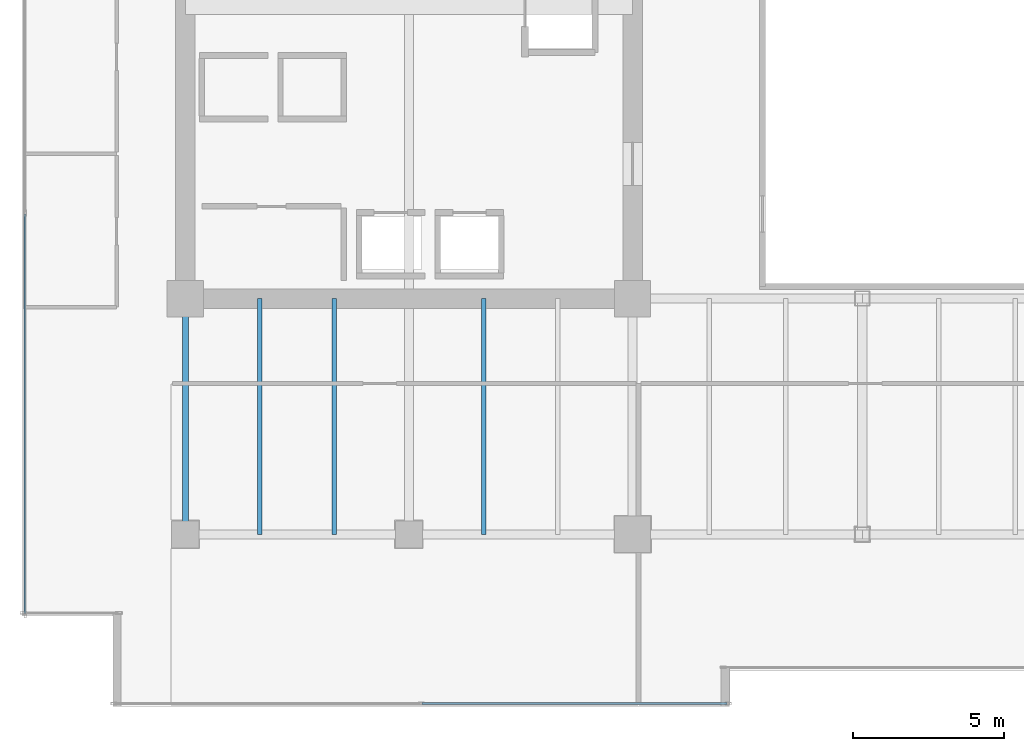
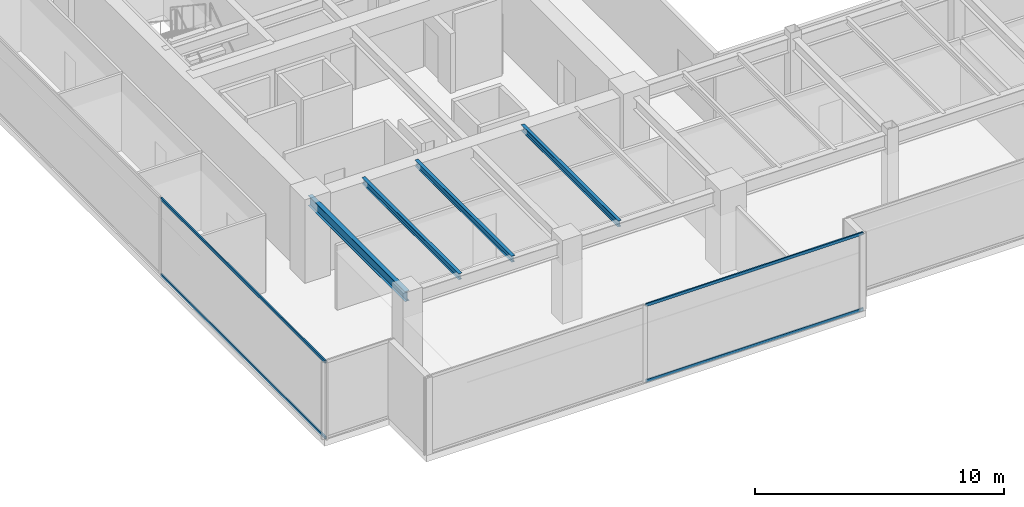
# One storey, part 3 of 34: 4 beams, 4 members, 2 elements without a shape of their own.
"""IFC4 building model written with IfcOpenShell, lengths in metres."""

from ifc_helpers import new_model, si_unit, direction, frame, origin, origin_2d, place, context, subcontext, project, spatial, hollow_rectangle, i_section, extrude, source, transform, mapped, material, layer, layer_set, material_profile, profile_set, type_object, type_shapes, element, aggregate, save


model = new_model("IFC4")

# Units and contexts
model_context = context("Model", 3, precision=1e-05, world=origin(), true_north=direction((0.0, 1.0)))
body_context = subcontext(model_context, "Body", "Model", "MODEL_VIEW")
ifc_project = project(units=[si_unit("LENGTHUNIT", "METRE"), si_unit("AREAUNIT", "SQUARE_METRE"), si_unit("VOLUMEUNIT", "CUBIC_METRE"), si_unit("PLANEANGLEUNIT", "RADIAN"), si_unit("MASSUNIT", "GRAM", prefix="KILO")], contexts=[model_context])

# Site, building, storey
site_placement = place(None, origin())
site = spatial("IfcSite", under=ifc_project, at=site_placement, CompositionType="ELEMENT")
building_placement = place(site_placement, origin())
building = spatial("IfcBuilding", under=site, at=building_placement, Name="Haelvirn Gate Laboratories", CompositionType="ELEMENT")
storey_placement = place(building_placement, frame((0.0, 0.0, 178.89990234375)))
storey = spatial("IfcBuildingStorey", under=building, at=storey_placement, Name="L43", CompositionType="ELEMENT", Elevation=178.89990234375)

# Beams
ifc_material_1 = material(Name="Steel SM355", Category="steel")
ifc_material_profile_1 = material_profile(ifc_material_1, i_section(OverallWidth=0.199951171875, OverallDepth=0.5, WebThickness=0.010009765625, FlangeThickness=0.01611328125, at=origin_2d()), Name="H-500x200x10x16")
ifc_profile_set_1 = profile_set([ifc_material_profile_1], Name="Steel SM355")
beam_type_1 = type_object("IfcBeamType", Name="BM-SP-500", PredefinedType="SPANDREL", material=ifc_profile_set_1)
shared_shape_1 = source(origin(), body_context, "Body", "SweptSolid", [
    extrude(i_section(OverallWidth=0.199951171875, OverallDepth=0.5, WebThickness=0.010009765625, FlangeThickness=0.01611328125, at=origin_2d()), origin(), (0.0, 0.0, 1.0), 7.800048828125),
])
type_shapes(beam_type_1, [shared_shape_1])
beam_placement = place(storey_placement, frame((7.39990234375, 7.0, 3.5400390625), z_axis=(0.0, 1.0, 0.0), x_axis=(-1.0, 0.0, 0.0)))
element("IfcBeam", 1, at=beam_placement, inside=storey, type_object=beam_type_1, Name="L43 Perimeter Spandrel X7.4 (7.0-14.8)", PredefinedType="SPANDREL", context=body_context, shape_type="MappedRepresentation", body=[
    mapped(shared_shape_1, transform((0.0, 0.0, 0.0), scale=1.0)),
])
ifc_material_profile_2 = material_profile(ifc_material_1, i_section(OverallWidth=0.14990234375, OverallDepth=0.300048828125, WebThickness=0.006591796875, FlangeThickness=0.009033203125, at=origin_2d()), Name="H-300x150x6.5x9")
ifc_profile_set_2 = profile_set([ifc_material_profile_2], Name="Steel SM355")
beam_type_2 = type_object("IfcBeamType", Name="BM-J-300", PredefinedType="JOIST", material=ifc_profile_set_2)
shared_shape_2 = source(origin(), body_context, "Body", "SweptSolid", [
    extrude(i_section(OverallWidth=0.14990234375, OverallDepth=0.300048828125, WebThickness=0.006591796875, FlangeThickness=0.009033203125, at=origin_2d()), origin(), (0.0, 0.0, 1.0), 7.800048828125),
])
type_shapes(beam_type_2, [shared_shape_2])
for number, where, z_axis, x_axis, name in (
    (2, (9.8701171875, 7.0, 3.64013671875), (0.0, 1.0, 0.0), (-1.0, 0.0, 0.0), "L43 Composite Lab Joist South X9.87"),
    (3, (12.330078125, 7.0, 3.64013671875), (0.0, 1.0, 0.0), (-1.0, 0.0, 0.0), "L43 Composite Lab Joist South X12.33"),
    (4, (17.27001953125, 7.0, 3.64013671875), (0.0, 1.0, 0.0), (-1.0, 0.0, 0.0), "L43 Composite Lab Joist South X17.27"),
):
    element("IfcBeam", number, at=place(storey_placement, frame(where, z_axis=z_axis, x_axis=x_axis)), inside=storey, type_object=beam_type_2, Name=name, PredefinedType="JOIST", context=body_context, shape_type="MappedRepresentation", body=[
        mapped(shared_shape_2, transform((0.0, 0.0, 0.0), scale=1.0)),
    ])

# Curtain wall, members
ifc_material_2 = material(Name="Anodised bronze unitised aluminium & triple low-E glass", Category="aluminium")
ifc_layer = layer(ifc_material_2, 0.179931640625, Name="CW-SYS-3")
ifc_layer_set = layer_set([ifc_layer], Name="Anodised bronze unitised aluminium & triple low-E glass")
curtain_wall_type = type_object("IfcCurtainWallType", Name="CW-SYS-3", PredefinedType="NOTDEFINED", material=ifc_layer_set)
curtain_wall_1_placement = place(storey_placement, origin())
curtain_wall_1 = element("IfcCurtainWall", 5, at=curtain_wall_1_placement, inside=storey, type_object=curtain_wall_type, Name="L43 Unitised Curtain Wall CW-L43-P0-E00-1", PredefinedType="NOTDEFINED")
ifc_material_3 = material(Name="Extruded aluminium 6063-T6 (anodised bronze)", Category="aluminium")
ifc_material_profile_3 = material_profile(ifc_material_3, hollow_rectangle(XDim=0.06494140625, YDim=0.139892578125, WallThickness=0.00390625, at=origin_2d()), Name="CWT-140x65x4")
ifc_profile_set_3 = profile_set([ifc_material_profile_3], Name="Extruded aluminium 6063-T6 (anodised bronze)")
member_type = type_object("IfcMemberType", Name="CWT-T140", PredefinedType="USERDEFINED", material=ifc_profile_set_3)
shared_shape_3 = source(origin(), body_context, "Body", "SweptSolid", [
    extrude(hollow_rectangle(XDim=0.06494140625, YDim=0.139892578125, WallThickness=0.00390625, at=origin_2d()), origin(), (0.0, 0.0, 1.0), 10.08740234375),
])
member_1_placement = place(storey_placement, frame((15.237548828125, 1.39990234375, 0.03271484375), z_axis=(1.0, 0.0, 0.0), x_axis=(0.0, 1.0, 0.0)))
member_1 = element("IfcMember", 6, at=member_1_placement, type_object=member_type, Name="CW3 transom 2.1", ObjectType="TRANSOM", PredefinedType="USERDEFINED", context=body_context, shape_type="MappedRepresentation", body=[
    mapped(shared_shape_3, transform((0.0, 0.0, 0.0), scale=1.0)),
])
member_2_placement = place(storey_placement, frame((15.237548828125, 1.39990234375, 3.757568359375), z_axis=(1.0, 0.0, 0.0), x_axis=(0.0, 1.0, 0.0)))
member_2 = element("IfcMember", 7, at=member_2_placement, type_object=member_type, Name="CW3 transom 2.2", ObjectType="TRANSOM", PredefinedType="USERDEFINED", context=body_context, shape_type="MappedRepresentation", body=[
    mapped(shared_shape_3, transform((0.0, 0.0, 0.0), scale=1.0)),
])
aggregate(curtain_wall_1, [member_1, member_2])

curtain_wall_2_placement = place(storey_placement, origin())
curtain_wall_2 = element("IfcCurtainWall", 8, at=curtain_wall_2_placement, inside=storey, type_object=curtain_wall_type, Name="L43 Unitised Curtain Wall CW-L43-P0-E17", PredefinedType="NOTDEFINED")
shared_shape_4 = source(origin(), body_context, "Body", "SweptSolid", [
    extrude(hollow_rectangle(XDim=0.06494140625, YDim=0.139892578125, WallThickness=0.00390625, at=origin_2d()), origin(), (0.0, 0.0, 1.0), 13.220947265625),
])
type_shapes(member_type, [shared_shape_3, shared_shape_4])
member_3_placement = place(storey_placement, frame((2.10009765625, 17.595947265625, 0.03271484375), z_axis=(0.0, -1.0, 0.0), x_axis=(1.0, 0.0, 0.0)))
member_3 = element("IfcMember", 9, at=member_3_placement, type_object=member_type, Name="CW3 transom 3.1", ObjectType="TRANSOM", PredefinedType="USERDEFINED", context=body_context, shape_type="MappedRepresentation", body=[
    mapped(shared_shape_4, transform((0.0, 0.0, 0.0), scale=1.0)),
])
member_4_placement = place(storey_placement, frame((2.10009765625, 17.595947265625, 3.757568359375), z_axis=(0.0, -1.0, 0.0), x_axis=(1.0, 0.0, 0.0)))
member_4 = element("IfcMember", 10, at=member_4_placement, type_object=member_type, Name="CW3 transom 3.2", ObjectType="TRANSOM", PredefinedType="USERDEFINED", context=body_context, shape_type="MappedRepresentation", body=[
    mapped(shared_shape_4, transform((0.0, 0.0, 0.0), scale=1.0)),
])
aggregate(curtain_wall_2, [member_3, member_4])

save(model, "model.ifc")
